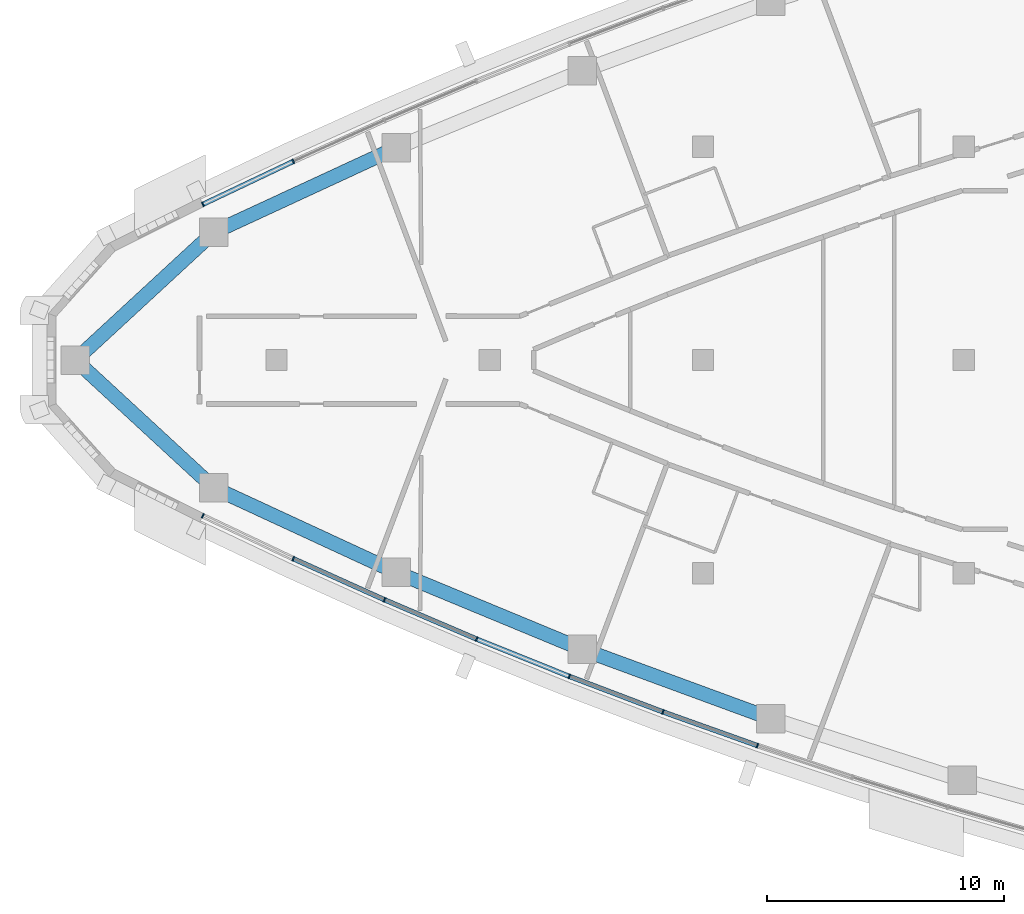
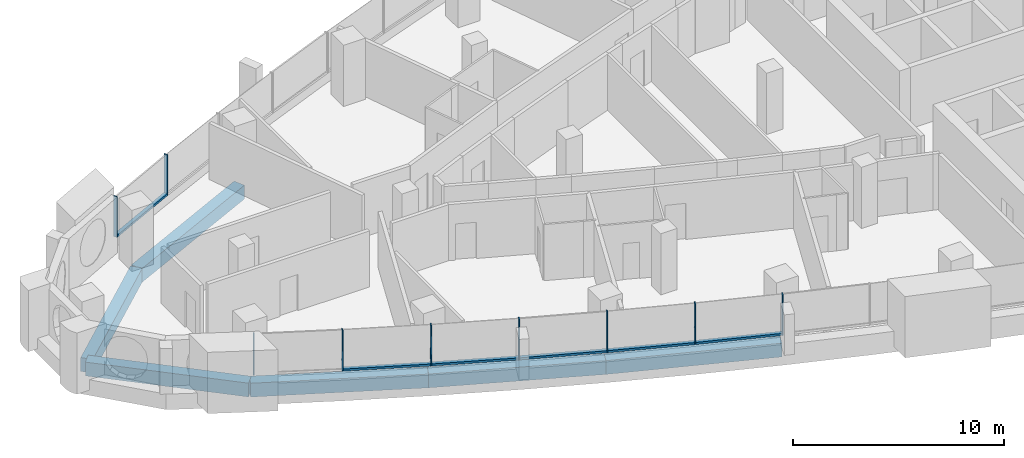
# One storey, part 2 of 15: 15 members, 6 beams, 4 elements without a shape of their own.
"""IFC4 building model written with IfcOpenShell, lengths in metres."""

from ifc_helpers import new_model, si_unit, direction, frame, origin, origin_2d, place, context, subcontext, project, spatial, rectangle, extrude, material, layer, layer_set, material_profile, profile_set, type_object, element, aggregate, save


model = new_model("IFC4")

# Units and contexts
model_context = context("Model", 3, precision=1e-05, world=origin(), true_north=direction((0.0, 1.0)))
body_context = subcontext(model_context, "Body", "Model", "MODEL_VIEW")
ifc_project = project(units=[si_unit("LENGTHUNIT", "METRE"), si_unit("AREAUNIT", "SQUARE_METRE"), si_unit("VOLUMEUNIT", "CUBIC_METRE"), si_unit("PLANEANGLEUNIT", "RADIAN"), si_unit("MASSUNIT", "GRAM", prefix="KILO")], contexts=[model_context])

# Site, building, storey
site_placement = place(None, origin())
site = spatial("IfcSite", under=ifc_project, at=site_placement, CompositionType="ELEMENT")
building_placement = place(site_placement, origin())
building = spatial("IfcBuilding", under=site, at=building_placement, Name="Ostrand Prow Hotel Tower", CompositionType="ELEMENT")
storey_placement = place(building_placement, frame((0.0, 0.0, 231.449951171875)))
storey = spatial("IfcBuildingStorey", under=building, at=storey_placement, Name="L58", CompositionType="ELEMENT", Elevation=231.449951171875)

# Beams
ifc_material_1 = material(Name="Concrete C50/60", Category="concrete")
ifc_material_profile_1 = material_profile(ifc_material_1, rectangle(XDim=0.60009765625, YDim=0.800048828125, at=origin_2d()), Name="RC 600x800")
ifc_profile_set_1 = profile_set([ifc_material_profile_1], Name="Concrete C50/60")
beam_type = type_object("IfcBeamType", Name="Edge beam 600x800 C50/60", PredefinedType="SPANDREL", material=ifc_profile_set_1)
beam_1_placement = place(storey_placement, frame((7.513916015625, 0.0, -0.699951171875), z_axis=(0.734806976358, -0.678276276672, 0.0), x_axis=(0.678276276672, 0.734806976358, 0.0)))
element("IfcBeam", 1, at=beam_1_placement, inside=storey, type_object=beam_type, Name="Edge beam P-S1", PredefinedType="SPANDREL", context=body_context, shape_type="SweptSolid", body=[
    extrude(rectangle(XDim=0.60009765625, YDim=0.800048828125, at=origin_2d()), origin(), (0.0, 0.0, 1.0), 7.95068359375),
])
beam_2_placement = place(storey_placement, frame((13.356201171875, -5.392822265625, -0.699951171875), z_axis=(0.907521936352, -0.420004684544, 0.0), x_axis=(0.420004684544, 0.907521936352, 0.0)))
element("IfcBeam", 2, at=beam_2_placement, inside=storey, type_object=beam_type, Name="Edge beam S1-S2", PredefinedType="SPANDREL", context=body_context, shape_type="SweptSolid", body=[
    extrude(rectangle(XDim=0.60009765625, YDim=0.800048828125, at=origin_2d()), origin(), (0.0, 0.0, 1.0), 8.4873046875),
])
for number, where, z_axis, x_axis, name in (
    (3, (21.05859375, -8.95751953125, -0.699951171875), (0.923890977326, -0.38265580097, 0.0), (0.38265580097, 0.923890977326, 0.0), "Edge beam S2-S3"),
    (4, (28.900146484375, -12.205322265625, -0.699951171875), (0.938684959139, -0.344776083113, 0.0), (0.344776083113, 0.938684959139, 0.0), "Edge beam S3-S4"),
):
    element("IfcBeam", number, at=place(storey_placement, frame(where, z_axis=z_axis, x_axis=x_axis)), inside=storey, type_object=beam_type, Name=name, PredefinedType="SPANDREL", context=body_context, shape_type="SweptSolid", body=[
        extrude(rectangle(XDim=0.60009765625, YDim=0.800048828125, at=origin_2d()), origin(), (0.0, 0.0, 1.0), 8.487548828125),
    ])
beam_3_placement = place(storey_placement, frame((21.05859375, 8.95751953125, -0.699951171875), z_axis=(-0.907521936352, -0.420004684544, 0.0), x_axis=(0.420004684544, -0.907521936352, 0.0)))
element("IfcBeam", 5, at=beam_3_placement, inside=storey, type_object=beam_type, Name="Edge beam N5-N6", PredefinedType="SPANDREL", context=body_context, shape_type="SweptSolid", body=[
    extrude(rectangle(XDim=0.60009765625, YDim=0.800048828125, at=origin_2d()), origin(), (0.0, 0.0, 1.0), 8.4873046875),
])
beam_4_placement = place(storey_placement, frame((13.356201171875, 5.392822265625, -0.699951171875), z_axis=(-0.734806976358, -0.678276276672, 0.0), x_axis=(0.678276276672, -0.734806976358, 0.0)))
element("IfcBeam", 6, at=beam_4_placement, inside=storey, type_object=beam_type, Name="Edge beam N6-P", PredefinedType="SPANDREL", context=body_context, shape_type="SweptSolid", body=[
    extrude(rectangle(XDim=0.60009765625, YDim=0.800048828125, at=origin_2d()), origin(), (0.0, 0.0, 1.0), 7.95068359375),
])

# Curtain wall, members
ifc_material_2 = material(Name="Insulated glass in bronze anodised frame", Category="glass")
ifc_layer = layer(ifc_material_2, 0.199951171875)
ifc_layer_set = layer_set([ifc_layer], Name="Insulated glass in bronze anodised frame")
curtain_wall_type = type_object("IfcCurtainWallType", Name="Strip curtain wall, fritted glass over bronze spandrel", PredefinedType="NOTDEFINED", material=ifc_layer_set)
curtain_wall_1_placement = place(storey_placement, origin())
curtain_wall_1 = element("IfcCurtainWall", 7, at=curtain_wall_1_placement, inside=storey, type_object=curtain_wall_type, Name="CW1 run CWS1", PredefinedType="NOTDEFINED")
ifc_material_3 = material(Name="Bronze anodised aluminium", Category="aluminium")
ifc_material_profile_2 = material_profile(ifc_material_3, rectangle(XDim=0.199951171875, YDim=0.06005859375, at=origin_2d()), Name="Mullion 60x200 bronze anodised aluminium")
ifc_profile_set_2 = profile_set([ifc_material_profile_2], Name="Bronze anodised aluminium")
member_type_1 = type_object("IfcMemberType", Name="Mullion 60x200 bronze anodised aluminium", PredefinedType="MULLION", material=ifc_profile_set_2)
member_1_placement = place(storey_placement, frame((12.893310546875, -6.57080078125, 0.900146484375), z_axis=(0.0, 0.0, 1.0), x_axis=(0.428861030937, 0.903370475577, 0.0)))
member_1 = element("IfcMember", 8, at=member_1_placement, type_object=member_type_1, Name="CW1 mullion 1", PredefinedType="MULLION", context=body_context, shape_type="SweptSolid", body=[
    extrude(rectangle(XDim=0.199951171875, YDim=0.06005859375, at=origin_2d()), origin(), (0.0, 0.0, 1.0), 2.349853515625),
])
member_2_placement = place(storey_placement, frame((16.708740234375, -8.382080078125, 0.900146484375), z_axis=(0.0, 0.0, 1.0), x_axis=(0.41058199404, 0.911823681514, 0.0)))
member_2 = element("IfcMember", 9, at=member_2_placement, type_object=member_type_1, Name="CW1 mullion 2", PredefinedType="MULLION", context=body_context, shape_type="SweptSolid", body=[
    extrude(rectangle(XDim=0.199951171875, YDim=0.06005859375, at=origin_2d()), origin(), (0.0, 0.0, 1.0), 2.349853515625),
])
member_3_placement = place(storey_placement, frame((20.56005859375, -10.116455078125, 0.900146484375), z_axis=(0.0, 0.0, 1.0), x_axis=(0.41058199404, 0.911823681514, 0.0)))
member_3 = element("IfcMember", 10, at=member_3_placement, type_object=member_type_1, Name="CW1 mullion 3", PredefinedType="MULLION", context=body_context, shape_type="SweptSolid", body=[
    extrude(rectangle(XDim=0.199951171875, YDim=0.06005859375, at=origin_2d()), origin(), (0.0, 0.0, 1.0), 2.349853515625),
])

curtain_wall_2_placement = place(storey_placement, origin())
curtain_wall_2 = element("IfcCurtainWall", 11, at=curtain_wall_2_placement, inside=storey, type_object=curtain_wall_type, Name="CW1 run CWS2", PredefinedType="NOTDEFINED")
member_4_placement = place(storey_placement, frame((24.445556640625, -11.772705078125, 0.900146484375), z_axis=(0.0, 0.0, 1.0), x_axis=(0.373533449004, 0.927616710972, 0.0)))
member_4 = element("IfcMember", 12, at=member_4_placement, type_object=member_type_1, Name="CW1 mullion 2", PredefinedType="MULLION", context=body_context, shape_type="SweptSolid", body=[
    extrude(rectangle(XDim=0.199951171875, YDim=0.06005859375, at=origin_2d()), origin(), (0.0, 0.0, 1.0), 2.349853515625),
])
member_5_placement = place(storey_placement, frame((28.363525390625, -13.350341796875, 0.900146484375), z_axis=(0.0, 0.0, 1.0), x_axis=(0.373533449004, 0.927616710972, 0.0)))
member_5 = element("IfcMember", 13, at=member_5_placement, type_object=member_type_1, Name="CW1 mullion 3", PredefinedType="MULLION", context=body_context, shape_type="SweptSolid", body=[
    extrude(rectangle(XDim=0.199951171875, YDim=0.06005859375, at=origin_2d()), origin(), (0.0, 0.0, 1.0), 2.349853515625),
])

curtain_wall_3_placement = place(storey_placement, origin())
curtain_wall_3 = element("IfcCurtainWall", 14, at=curtain_wall_3_placement, inside=storey, type_object=curtain_wall_type, Name="CW1 run CWS3", PredefinedType="NOTDEFINED")
member_6_placement = place(storey_placement, frame((32.3125, -14.848876953125, 0.900146484375), z_axis=(0.0, 0.0, 1.0), x_axis=(0.335877383374, 0.941905718922, 0.0)))
member_6 = element("IfcMember", 15, at=member_6_placement, type_object=member_type_1, Name="CW1 mullion 2", PredefinedType="MULLION", context=body_context, shape_type="SweptSolid", body=[
    extrude(rectangle(XDim=0.199951171875, YDim=0.06005859375, at=origin_2d()), origin(), (0.0, 0.0, 1.0), 2.349853515625),
])
member_7_placement = place(storey_placement, frame((36.291015625, -16.267578125, 0.900146484375), z_axis=(0.0, 0.0, 1.0), x_axis=(0.335877383374, 0.941905718922, 0.0)))
member_7 = element("IfcMember", 16, at=member_7_placement, type_object=member_type_1, Name="CW1 mullion 3", PredefinedType="MULLION", context=body_context, shape_type="SweptSolid", body=[
    extrude(rectangle(XDim=0.199951171875, YDim=0.06005859375, at=origin_2d()), origin(), (0.0, 0.0, 1.0), 2.349853515625),
])

curtain_wall_4_placement = place(storey_placement, origin())
curtain_wall_4 = element("IfcCurtainWall", 17, at=curtain_wall_4_placement, inside=storey, type_object=curtain_wall_type, Name="CW1 run CWN5", PredefinedType="NOTDEFINED")
member_8_placement = place(storey_placement, frame((16.708740234375, 8.382080078125, 0.900146484375), z_axis=(0.0, 0.0, 1.0), x_axis=(0.428861030937, -0.903370475577, 0.0)))
member_8 = element("IfcMember", 18, at=member_8_placement, type_object=member_type_1, Name="CW1 mullion 2", PredefinedType="MULLION", context=body_context, shape_type="SweptSolid", body=[
    extrude(rectangle(XDim=0.199951171875, YDim=0.06005859375, at=origin_2d()), origin(), (0.0, 0.0, 1.0), 2.349853515625),
])
member_9_placement = place(storey_placement, frame((12.893310546875, 6.57080078125, 0.900146484375), z_axis=(0.0, 0.0, 1.0), x_axis=(0.428861030937, -0.903370475577, 0.0)))
member_9 = element("IfcMember", 19, at=member_9_placement, type_object=member_type_1, Name="CW1 mullion 3", PredefinedType="MULLION", context=body_context, shape_type="SweptSolid", body=[
    extrude(rectangle(XDim=0.199951171875, YDim=0.06005859375, at=origin_2d()), origin(), (0.0, 0.0, 1.0), 2.349853515625),
])

# Member
ifc_material_4 = material(Name="Bronze anodised aluminium", Category="aluminium")
ifc_material_profile_3 = material_profile(ifc_material_4, rectangle(XDim=0.199951171875, YDim=0.1201171875, at=origin_2d()), Name="Transom 120x200 bronze anodised aluminium")
ifc_profile_set_3 = profile_set([ifc_material_profile_3], Name="Bronze anodised aluminium")
member_type_2 = type_object("IfcMemberType", Name="Transom 120x200 bronze anodised aluminium", PredefinedType="USERDEFINED", material=ifc_profile_set_3)
member_10_placement = place(storey_placement, frame((16.736083984375, -8.39453125, 0.9599609375), z_axis=(0.911832617051, -0.410562149353, 0.0), x_axis=(0.410562149353, 0.911832617051, 0.0)))
member_10 = element("IfcMember", 20, at=member_10_placement, type_object=member_type_2, Name="CW1 transom 2.1", ObjectType="TRANSOM", PredefinedType="USERDEFINED", context=body_context, shape_type="SweptSolid", body=[
    extrude(rectangle(XDim=0.199951171875, YDim=0.1201171875, at=origin_2d()), origin(), (0.0, 0.0, 1.0), 4.163818359375),
])

aggregate(curtain_wall_1, [member_1, member_2, member_3, member_10])

member_11_placement = place(storey_placement, frame((20.587646484375, -10.128173828125, 0.9599609375), z_axis=(0.919904541337, -0.392142365509, 0.0), x_axis=(0.392142365509, 0.919904541337, 0.0)))
member_11 = element("IfcMember", 21, at=member_11_placement, type_object=member_type_2, Name="CW1 transom 1.1", ObjectType="TRANSOM", PredefinedType="USERDEFINED", context=body_context, shape_type="SweptSolid", body=[
    extrude(rectangle(XDim=0.199951171875, YDim=0.1201171875, at=origin_2d()), origin(), (0.0, 0.0, 1.0), 4.163818359375),
])

member_12_placement = place(storey_placement, frame((24.473388671875, -11.783935546875, 0.9599609375), z_axis=(0.927625049372, -0.373512741119, 0.0), x_axis=(0.373512741119, 0.927625049372, 0.0)))
member_12 = element("IfcMember", 22, at=member_12_placement, type_object=member_type_2, Name="CW1 transom 2.1", ObjectType="TRANSOM", PredefinedType="USERDEFINED", context=body_context, shape_type="SweptSolid", body=[
    extrude(rectangle(XDim=0.199951171875, YDim=0.1201171875, at=origin_2d()), origin(), (0.0, 0.0, 1.0), 4.16357421875),
])

aggregate(curtain_wall_2, [member_4, member_5, member_11, member_12])

member_13_placement = place(storey_placement, frame((28.3916015625, -13.361083984375, 0.9599609375), z_axis=(0.934960644813, -0.354751451936, 0.0), x_axis=(0.354751451936, 0.934960644813, 0.0)))
member_13 = element("IfcMember", 23, at=member_13_placement, type_object=member_type_2, Name="CW1 transom 1.1", ObjectType="TRANSOM", PredefinedType="USERDEFINED", context=body_context, shape_type="SweptSolid", body=[
    extrude(rectangle(XDim=0.199951171875, YDim=0.1201171875, at=origin_2d()), origin(), (0.0, 0.0, 1.0), 4.16357421875),
])

member_14_placement = place(storey_placement, frame((32.3408203125, -14.85888671875, 0.9599609375), z_axis=(0.941911594104, -0.335860907061, 0.0), x_axis=(0.335860907061, 0.941911594104, 0.0)))
member_14 = element("IfcMember", 24, at=member_14_placement, type_object=member_type_2, Name="CW1 transom 2.1", ObjectType="TRANSOM", PredefinedType="USERDEFINED", context=body_context, shape_type="SweptSolid", body=[
    extrude(rectangle(XDim=0.199951171875, YDim=0.1201171875, at=origin_2d()), origin(), (0.0, 0.0, 1.0), 4.163818359375),
])

aggregate(curtain_wall_3, [member_6, member_7, member_13, member_14])

member_15_placement = place(storey_placement, frame((16.681640625, 8.369384765625, 0.9599609375), z_axis=(-0.903364977925, -0.428872611226, 0.0), x_axis=(0.428872611226, -0.903364977925, 0.0)))
member_15 = element("IfcMember", 25, at=member_15_placement, type_object=member_type_2, Name="CW1 transom 2.1", ObjectType="TRANSOM", PredefinedType="USERDEFINED", context=body_context, shape_type="SweptSolid", body=[
    extrude(rectangle(XDim=0.199951171875, YDim=0.1201171875, at=origin_2d()), origin(), (0.0, 0.0, 1.0), 4.16357421875),
])

aggregate(curtain_wall_4, [member_8, member_9, member_15])

save(model, "model.ifc")
